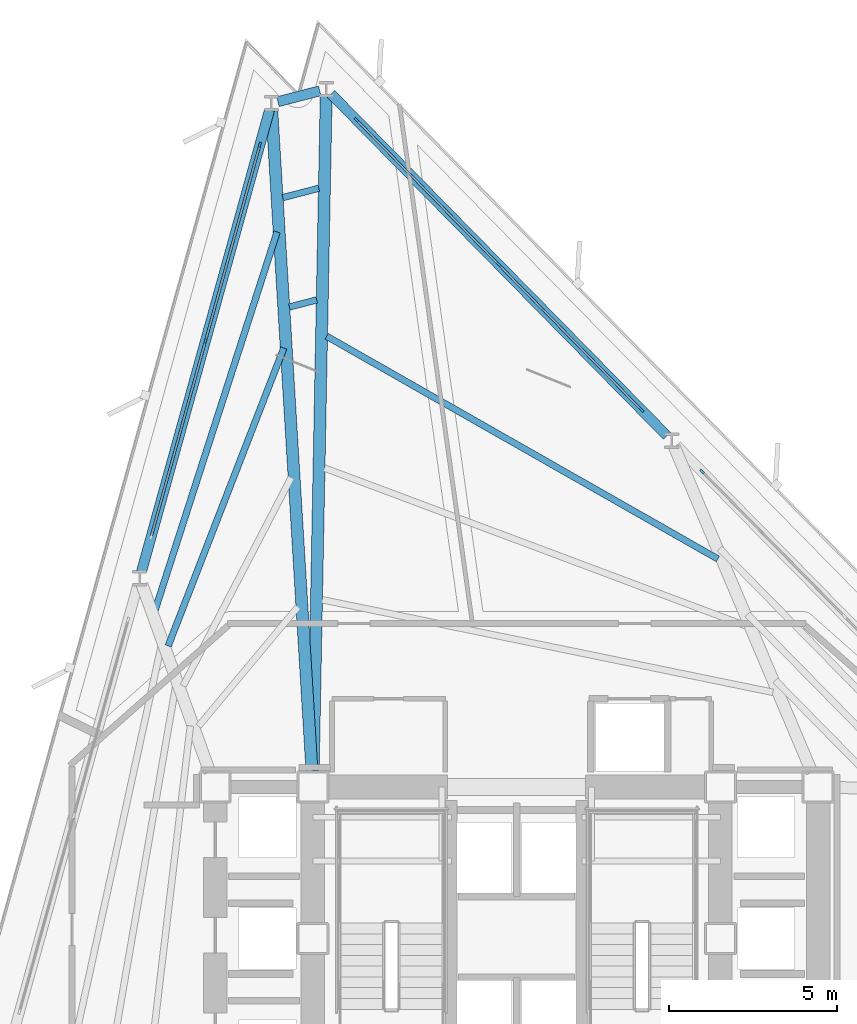
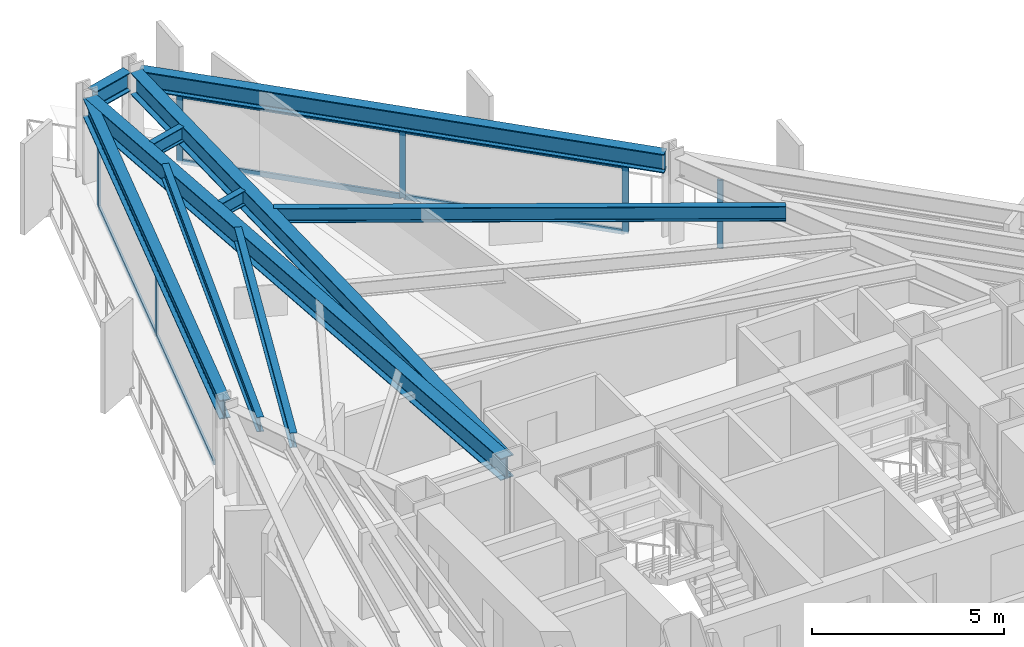
# One storey, part 5 of 11: 14 members, 10 beams, 3 elements without a shape of their own.
"""IFC4 building model written with IfcOpenShell, lengths in metres."""

from ifc_helpers import new_model, si_unit, direction, frame, origin, origin_2d, place, context, subcontext, project, spatial, rectangle, i_section, extrude, material, layer, layer_set, material_profile, profile_set, type_object, element, aggregate, save


model = new_model("IFC4")

# Units and contexts
model_context = context("Model", 3, precision=1e-05, world=origin(), true_north=direction((0.0, 1.0)))
body_context = subcontext(model_context, "Body", "Model", "MODEL_VIEW")
ifc_project = project(units=[si_unit("LENGTHUNIT", "METRE"), si_unit("AREAUNIT", "SQUARE_METRE"), si_unit("VOLUMEUNIT", "CUBIC_METRE"), si_unit("PLANEANGLEUNIT", "RADIAN"), si_unit("MASSUNIT", "GRAM", prefix="KILO")], contexts=[model_context])

# Site, building, storey
site_placement = place(None, origin())
site = spatial("IfcSite", under=ifc_project, at=site_placement, CompositionType="ELEMENT")
building_placement = place(site_placement, origin())
building = spatial("IfcBuilding", under=site, at=building_placement, Name="Rocaltana Carrier Exchange", CompositionType="ELEMENT")
storey_placement = place(building_placement, frame((0.0, 0.0, 85.60009765625)))
storey = spatial("IfcBuildingStorey", under=building, at=storey_placement, Name="L26", CompositionType="ELEMENT", Elevation=85.60009765625)

# Curtain wall, member
ifc_material_1 = material(Name="Aluminium 6063-T6", Category="aluminium")
ifc_layer = layer(ifc_material_1, 0.1650390625)
ifc_layer_set = layer_set([ifc_layer], Name="Aluminium 6063-T6")
curtain_wall_type = type_object("IfcCurtainWallType", Name="Lower-Mid Stepped Curtain Wall CW-02", PredefinedType="NOTDEFINED", material=ifc_layer_set)
curtain_wall_1_placement = place(storey_placement, origin())
curtain_wall_1 = element("IfcCurtainWall", 1, at=curtain_wall_1_placement, inside=storey, type_object=curtain_wall_type, Name="L26 CW-02 Run CW-L26-F1S2", PredefinedType="NOTDEFINED")
ifc_material_2 = material(Name="Aluminium 6063-T6", Category="aluminium")
ifc_material_profile_1 = material_profile(ifc_material_2, rectangle(XDim=0.06494140625, YDim=0.1650390625, at=origin_2d()), Name="AL-65X165")
ifc_profile_set_1 = profile_set([ifc_material_profile_1], Name="Aluminium 6063-T6")
member_type_1 = type_object("IfcMemberType", Name="CW-02 Mullion AL-65X165", PredefinedType="MULLION", material=ifc_profile_set_1)
member_1_placement = place(storey_placement, frame((5.503173828125, 13.8681640625, 0.0), z_axis=(0.0, 0.0, 1.0), x_axis=(-0.713244696676, -0.700915118017, 0.0)))
member_1 = element("IfcMember", 2, at=member_1_placement, type_object=member_type_1, Name="CW-02 mullion 3", PredefinedType="MULLION", context=body_context, shape_type="SweptSolid", body=[
    extrude(rectangle(XDim=0.06494140625, YDim=0.1650390625, at=origin_2d()), origin(), (0.0, 0.0, 1.0), 2.16796875),
])
aggregate(curtain_wall_1, [member_1])

# Curtain wall, members
curtain_wall_2_placement = place(storey_placement, origin())
curtain_wall_2 = element("IfcCurtainWall", 3, at=curtain_wall_2_placement, inside=storey, type_object=curtain_wall_type, Name="L26 CW-02 Run CW-L26-F1S3", PredefinedType="NOTDEFINED")
member_2_placement = place(storey_placement, frame((3.70556640625, 15.69775390625, 0.0), z_axis=(0.0, 0.0, 1.0), x_axis=(-0.713244767898, -0.700915045542, 0.0)))
member_2 = element("IfcMember", 4, at=member_2_placement, type_object=member_type_1, Name="CW-02 mullion 1", PredefinedType="MULLION", context=body_context, shape_type="SweptSolid", body=[
    extrude(rectangle(XDim=0.06494140625, YDim=0.1650390625, at=origin_2d()), origin(), (0.0, 0.0, 1.0), 2.16796875),
])
member_3_placement = place(storey_placement, frame((-0.52392578125, 20.001708984375, 0.0), z_axis=(0.0, 0.0, 1.0), x_axis=(-0.713244767898, -0.700915045542, 0.0)))
member_3 = element("IfcMember", 5, at=member_3_placement, type_object=member_type_1, Name="CW-02 mullion 2", PredefinedType="MULLION", context=body_context, shape_type="SweptSolid", body=[
    extrude(rectangle(XDim=0.06494140625, YDim=0.1650390625, at=origin_2d()), origin(), (0.0, 0.0, 1.0), 2.16796875),
])
member_4_placement = place(storey_placement, frame((-4.75341796875, 24.305419921875, 0.0), z_axis=(0.0, 0.0, 1.0), x_axis=(-0.713244767898, -0.700915045542, 0.0)))
member_4 = element("IfcMember", 6, at=member_4_placement, type_object=member_type_1, Name="CW-02 mullion 3", PredefinedType="MULLION", context=body_context, shape_type="SweptSolid", body=[
    extrude(rectangle(XDim=0.06494140625, YDim=0.1650390625, at=origin_2d()), origin(), (0.0, 0.0, 1.0), 2.16796875),
])

curtain_wall_3_placement = place(storey_placement, origin())
curtain_wall_3 = element("IfcCurtainWall", 7, at=curtain_wall_3_placement, inside=storey, type_object=curtain_wall_type, Name="L26 CW-02 Run CW-L26-F2S1", PredefinedType="NOTDEFINED")
member_5_placement = place(storey_placement, frame((-7.626220703125, 23.5625, 0.0), z_axis=(0.0, 0.0, 1.0), x_axis=(0.96362846453, -0.267245546918, 0.0)))
member_5 = element("IfcMember", 8, at=member_5_placement, type_object=member_type_1, Name="CW-02 mullion 1", PredefinedType="MULLION", context=body_context, shape_type="SweptSolid", body=[
    extrude(rectangle(XDim=0.06494140625, YDim=0.1650390625, at=origin_2d()), origin(), (0.0, 0.0, 1.0), 2.16796875),
])
member_6_placement = place(storey_placement, frame((-9.23876953125, 17.747802734375, 0.0), z_axis=(0.0, 0.0, 1.0), x_axis=(0.96362846453, -0.267245546918, 0.0)))
member_6 = element("IfcMember", 9, at=member_6_placement, type_object=member_type_1, Name="CW-02 mullion 2", PredefinedType="MULLION", context=body_context, shape_type="SweptSolid", body=[
    extrude(rectangle(XDim=0.06494140625, YDim=0.1650390625, at=origin_2d()), origin(), (0.0, 0.0, 1.0), 2.16796875),
])

# Member
ifc_material_3 = material(Name="Aluminium 6063-T6", Category="aluminium")
ifc_material_profile_2 = material_profile(ifc_material_3, rectangle(XDim=0.06494140625, YDim=0.1650390625, at=origin_2d()), Name="AL-65X165")
ifc_profile_set_2 = profile_set([ifc_material_profile_2], Name="Aluminium 6063-T6")
member_type_2 = type_object("IfcMemberType", Name="CW-02 Transom AL-65X165", PredefinedType="USERDEFINED", material=ifc_profile_set_2)
member_7_placement = place(storey_placement, frame((3.682861328125, 15.720947265625, 0.032470703125), z_axis=(-0.700924711343, 0.713235269058, 0.0), x_axis=(-0.713235269058, -0.700924711343, 0.0)))
member_7 = element("IfcMember", 10, at=member_7_placement, type_object=member_type_2, Name="CW-02 transom 1.1", ObjectType="TRANSOM", PredefinedType="USERDEFINED", context=body_context, shape_type="SweptSolid", body=[
    extrude(rectangle(XDim=0.06494140625, YDim=0.1650390625, at=origin_2d()), origin(), (0.0, 0.0, 1.0), 5.969482421875),
])

member_8_placement = place(storey_placement, frame((3.682861328125, 15.720947265625, 2.135498046875), z_axis=(-0.700924711343, 0.713235269058, 0.0), x_axis=(-0.713235269058, -0.700924711343, 0.0)))
member_8 = element("IfcMember", 11, at=member_8_placement, type_object=member_type_2, Name="CW-02 transom 1.2", ObjectType="TRANSOM", PredefinedType="USERDEFINED", context=body_context, shape_type="SweptSolid", body=[
    extrude(rectangle(XDim=0.06494140625, YDim=0.1650390625, at=origin_2d()), origin(), (0.0, 0.0, 1.0), 5.969482421875),
])

member_9_placement = place(storey_placement, frame((-0.546630859375, 20.02490234375, 0.032470703125), z_axis=(-0.700924352217, 0.713235621985, 0.0), x_axis=(-0.713235621985, -0.700924352217, 0.0)))
member_9 = element("IfcMember", 12, at=member_9_placement, type_object=member_type_2, Name="CW-02 transom 2.1", ObjectType="TRANSOM", PredefinedType="USERDEFINED", context=body_context, shape_type="SweptSolid", body=[
    extrude(rectangle(XDim=0.06494140625, YDim=0.1650390625, at=origin_2d()), origin(), (0.0, 0.0, 1.0), 5.968994140625),
])

member_10_placement = place(storey_placement, frame((-0.546630859375, 20.02490234375, 2.135498046875), z_axis=(-0.700924352217, 0.713235621985, 0.0), x_axis=(-0.713235621985, -0.700924352217, 0.0)))
member_10 = element("IfcMember", 13, at=member_10_placement, type_object=member_type_2, Name="CW-02 transom 2.2", ObjectType="TRANSOM", PredefinedType="USERDEFINED", context=body_context, shape_type="SweptSolid", body=[
    extrude(rectangle(XDim=0.06494140625, YDim=0.1650390625, at=origin_2d()), origin(), (0.0, 0.0, 1.0), 5.968994140625),
])

aggregate(curtain_wall_2, [member_2, member_3, member_4, member_7, member_8, member_9, member_10])

member_11_placement = place(storey_placement, frame((-7.634765625, 23.53125, 0.032470703125), z_axis=(-0.267274698809, -0.963620379287, 0.0), x_axis=(0.963620379287, -0.267274698809, 0.0)))
member_11 = element("IfcMember", 14, at=member_11_placement, type_object=member_type_2, Name="CW-02 transom 1.1", ObjectType="TRANSOM", PredefinedType="USERDEFINED", context=body_context, shape_type="SweptSolid", body=[
    extrude(rectangle(XDim=0.06494140625, YDim=0.1650390625, at=origin_2d()), origin(), (0.0, 0.0, 1.0), 5.96923828125),
])

member_12_placement = place(storey_placement, frame((-7.634765625, 23.53125, 2.135498046875), z_axis=(-0.267274698809, -0.963620379287, 0.0), x_axis=(0.963620379287, -0.267274698809, 0.0)))
member_12 = element("IfcMember", 15, at=member_12_placement, type_object=member_type_2, Name="CW-02 transom 1.2", ObjectType="TRANSOM", PredefinedType="USERDEFINED", context=body_context, shape_type="SweptSolid", body=[
    extrude(rectangle(XDim=0.06494140625, YDim=0.1650390625, at=origin_2d()), origin(), (0.0, 0.0, 1.0), 5.96923828125),
])

member_13_placement = place(storey_placement, frame((-9.24755859375, 17.716552734375, 0.032470703125), z_axis=(-0.267236720875, -0.963630912235, 0.0), x_axis=(0.963630912235, -0.267236720875, 0.0)))
member_13 = element("IfcMember", 16, at=member_13_placement, type_object=member_type_2, Name="CW-02 transom 2.1", ObjectType="TRANSOM", PredefinedType="USERDEFINED", context=body_context, shape_type="SweptSolid", body=[
    extrude(rectangle(XDim=0.06494140625, YDim=0.1650390625, at=origin_2d()), origin(), (0.0, 0.0, 1.0), 5.96923828125),
])

member_14_placement = place(storey_placement, frame((-9.24755859375, 17.716552734375, 2.135498046875), z_axis=(-0.267236720875, -0.963630912235, 0.0), x_axis=(0.963630912235, -0.267236720875, 0.0)))
member_14 = element("IfcMember", 17, at=member_14_placement, type_object=member_type_2, Name="CW-02 transom 2.2", ObjectType="TRANSOM", PredefinedType="USERDEFINED", context=body_context, shape_type="SweptSolid", body=[
    extrude(rectangle(XDim=0.06494140625, YDim=0.1650390625, at=origin_2d()), origin(), (0.0, 0.0, 1.0), 5.96923828125),
])

aggregate(curtain_wall_3, [member_5, member_6, member_11, member_12, member_13, member_14])

# Beams
ifc_material_4 = material(Name="Steel S355", Category="steel")
ifc_material_profile_3 = material_profile(ifc_material_4, i_section(OverallWidth=0.193115234375, OverallDepth=0.466064453125, WebThickness=0.011474609375, FlangeThickness=0.01904296875, FilletRadius=0.013916015625, at=origin_2d()), Name="W18X65")
ifc_profile_set_3 = profile_set([ifc_material_profile_3], Name="Steel S355")
beam_type_1 = type_object("IfcBeamType", Name="Floor Joist W18X65", PredefinedType="JOIST", material=ifc_profile_set_3)
beam_1_placement = place(storey_placement, frame((5.976318359375, 11.268798828125, 2.554931640625), z_axis=(-0.869038762024, 0.494744004613, 0.0), x_axis=(-0.494744004613, -0.869038762024, 0.0)))
element("IfcBeam", 18, at=beam_1_placement, inside=storey, type_object=beam_type_1, Name="FJ-L26-03-3", PredefinedType="JOIST", context=body_context, shape_type="SweptSolid", body=[
    extrude(i_section(OverallWidth=0.193115234375, OverallDepth=0.466064453125, WebThickness=0.011474609375, FlangeThickness=0.01904296875, FilletRadius=0.013916015625, at=origin_2d()), origin(), (0.0, 0.0, 1.0), 13.36962890625),
])
beam_2_placement = place(storey_placement, frame((-5.9375, 18.961181640625, 2.554931640625), z_axis=(-0.968135931974, -0.250425272727, 0.0), x_axis=(0.250425272727, -0.968135931974, 0.0)))
element("IfcBeam", 19, at=beam_2_placement, inside=storey, type_object=beam_type_1, Name="FJ-L26-04-3", PredefinedType="JOIST", context=body_context, shape_type="SweptSolid", body=[
    extrude(i_section(OverallWidth=0.193115234375, OverallDepth=0.466064453125, WebThickness=0.011474609375, FlangeThickness=0.01904296875, FilletRadius=0.013916015625, at=origin_2d()), origin(), (0.0, 0.0, 1.0), 0.83642578125),
])
beam_3_placement = place(storey_placement, frame((-5.873779296875, 22.2763671875, 2.554931640625), z_axis=(-0.968177342662, -0.25026512573, 0.0), x_axis=(0.25026512573, -0.968177342662, 0.0)))
element("IfcBeam", 20, at=beam_3_placement, inside=storey, type_object=beam_type_1, Name="FJ-L26-04-4", PredefinedType="JOIST", context=body_context, shape_type="SweptSolid", body=[
    extrude(i_section(OverallWidth=0.193115234375, OverallDepth=0.466064453125, WebThickness=0.011474609375, FlangeThickness=0.01904296875, FilletRadius=0.013916015625, at=origin_2d()), origin(), (0.0, 0.0, 1.0), 1.106201171875),
])
beam_4_placement = place(storey_placement, frame((-6.913818359375, 17.533935546875, 2.554931640625), z_axis=(-0.361784373261, -0.93226180189, 0.0), x_axis=(0.93226180189, -0.361784373261, 0.0)))
element("IfcBeam", 21, at=beam_4_placement, inside=storey, type_object=beam_type_1, Name="FJ-L26-05-3", PredefinedType="JOIST", context=body_context, shape_type="SweptSolid", body=[
    extrude(i_section(OverallWidth=0.193115234375, OverallDepth=0.466064453125, WebThickness=0.011474609375, FlangeThickness=0.01904296875, FilletRadius=0.013916015625, at=origin_2d()), origin(), (0.0, 0.0, 1.0), 9.48876953125),
])
beam_5_placement = place(storey_placement, frame((-7.114013671875, 20.9814453125, 2.554931640625), z_axis=(-0.306913359242, -0.951737458504, 0.0), x_axis=(0.951737458504, -0.306913359242, 0.0)))
element("IfcBeam", 22, at=beam_5_placement, inside=storey, type_object=beam_type_1, Name="FJ-L26-05-4", PredefinedType="JOIST", context=body_context, shape_type="SweptSolid", body=[
    extrude(i_section(OverallWidth=0.193115234375, OverallDepth=0.466064453125, WebThickness=0.011474609375, FlangeThickness=0.01904296875, FilletRadius=0.013916015625, at=origin_2d()), origin(), (0.0, 0.0, 1.0), 11.806396484375),
])
ifc_material_5 = material(Name="Steel S355", Category="steel")
ifc_material_profile_4 = material_profile(ifc_material_5, i_section(OverallWidth=0.35498046875, OverallDepth=0.695068359375, WebThickness=0.015380859375, FlangeThickness=0.02490234375, FilletRadius=0.01806640625, at=origin_2d()), Name="W27X146")
ifc_profile_set_4 = profile_set([ifc_material_profile_4], Name="Steel S355")
beam_type_2 = type_object("IfcBeamType", Name="Radial Girder W27X146", PredefinedType="BEAM", material=ifc_profile_set_4)
beam_6_placement = place(storey_placement, frame((-6.041015625, 4.966796875, 2.4404296875), z_axis=(0.019196559381, 0.999815729076, 0.0), x_axis=(-0.999815729076, 0.019196559381, 0.0)))
element("IfcBeam", 23, at=beam_6_placement, inside=storey, type_object=beam_type_2, Name="RG-L26-04", PredefinedType="BEAM", context=body_context, shape_type="SweptSolid", body=[
    extrude(i_section(OverallWidth=0.35498046875, OverallDepth=0.695068359375, WebThickness=0.015380859375, FlangeThickness=0.02490234375, FilletRadius=0.01806640625, at=origin_2d()), origin(), (0.0, 0.0, 1.0), 20.05615234375),
])
beam_7_placement = place(storey_placement, frame((-6.078369140625, 4.966064453125, 2.4404296875), z_axis=(-0.060650968736, 0.99815903542, 0.0), x_axis=(-0.99815903542, -0.060650968736, 0.0)))
element("IfcBeam", 24, at=beam_7_placement, inside=storey, type_object=beam_type_2, Name="RG-L26-05", PredefinedType="BEAM", context=body_context, shape_type="SweptSolid", body=[
    extrude(i_section(OverallWidth=0.35498046875, OverallDepth=0.695068359375, WebThickness=0.015380859375, FlangeThickness=0.02490234375, FilletRadius=0.01806640625, at=origin_2d()), origin(), (0.0, 0.0, 1.0), 19.667724609375),
])
ifc_material_6 = material(Name="Steel S355", Category="steel")
ifc_material_profile_5 = material_profile(ifc_material_6, i_section(OverallWidth=0.300048828125, OverallDepth=0.60009765625, WebThickness=0.015380859375, FlangeThickness=0.030029296875, FilletRadius=0.027099609375, at=origin_2d()), Name="HEB600")
ifc_profile_set_5 = profile_set([ifc_material_profile_5], Name="Steel S355")
beam_type_3 = type_object("IfcBeamType", Name="Spandrel Edge Beam HEB600", PredefinedType="SPANDREL", material=ifc_profile_set_5)
beam_8_placement = place(storey_placement, frame((4.46337890625, 14.926513671875, 2.48779296875), z_axis=(-0.700903840952, 0.713255778623, 0.0), x_axis=(-0.713255778623, -0.700903840952, 0.0)))
element("IfcBeam", 25, at=beam_8_placement, inside=storey, type_object=beam_type_3, Name="SP-L26-03", PredefinedType="SPANDREL", context=body_context, shape_type="SweptSolid", body=[
    extrude(i_section(OverallWidth=0.300048828125, OverallDepth=0.60009765625, WebThickness=0.015380859375, FlangeThickness=0.030029296875, FilletRadius=0.027099609375, at=origin_2d()), origin(), (0.0, 0.0, 1.0), 14.23095703125),
])
beam_9_placement = place(storey_placement, frame((-5.8466796875, 25.169921875, 2.48779296875), z_axis=(-0.96814054922, -0.250407421929, 0.0), x_axis=(0.250407421929, -0.96814054922, 0.0)))
element("IfcBeam", 26, at=beam_9_placement, inside=storey, type_object=beam_type_3, Name="SP-L26-04", PredefinedType="SPANDREL", context=body_context, shape_type="SweptSolid", body=[
    extrude(i_section(OverallWidth=0.300048828125, OverallDepth=0.60009765625, WebThickness=0.015380859375, FlangeThickness=0.030029296875, FilletRadius=0.027099609375, at=origin_2d()), origin(), (0.0, 0.0, 1.0), 1.282958984375),
])
beam_10_placement = place(storey_placement, frame((-7.337158203125, 24.6044921875, 2.48779296875), z_axis=(-0.267244796471, -0.963628672653, 0.0), x_axis=(0.963628672653, -0.267244796471, 0.0)))
element("IfcBeam", 27, at=beam_10_placement, inside=storey, type_object=beam_type_3, Name="SP-L26-05", PredefinedType="SPANDREL", context=body_context, shape_type="SweptSolid", body=[
    extrude(i_section(OverallWidth=0.300048828125, OverallDepth=0.60009765625, WebThickness=0.015380859375, FlangeThickness=0.030029296875, FilletRadius=0.027099609375, at=origin_2d()), origin(), (0.0, 0.0, 1.0), 14.231201171875),
])

save(model, "model.ifc")
